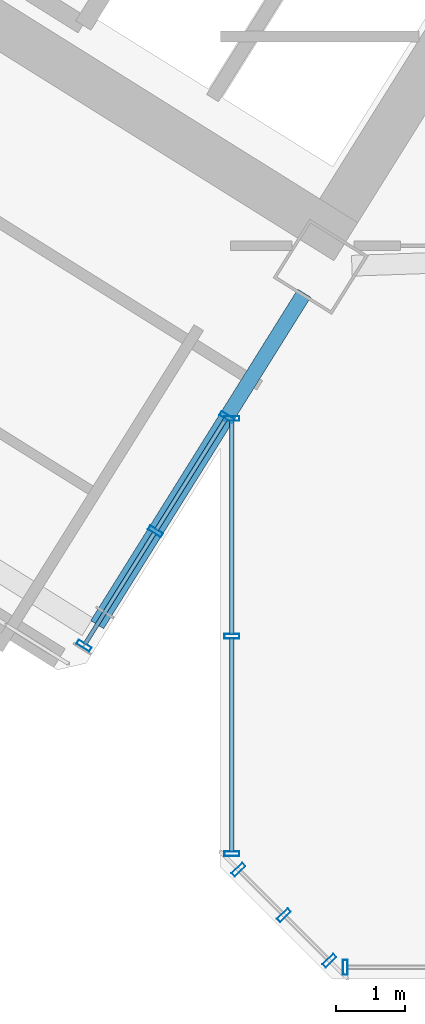
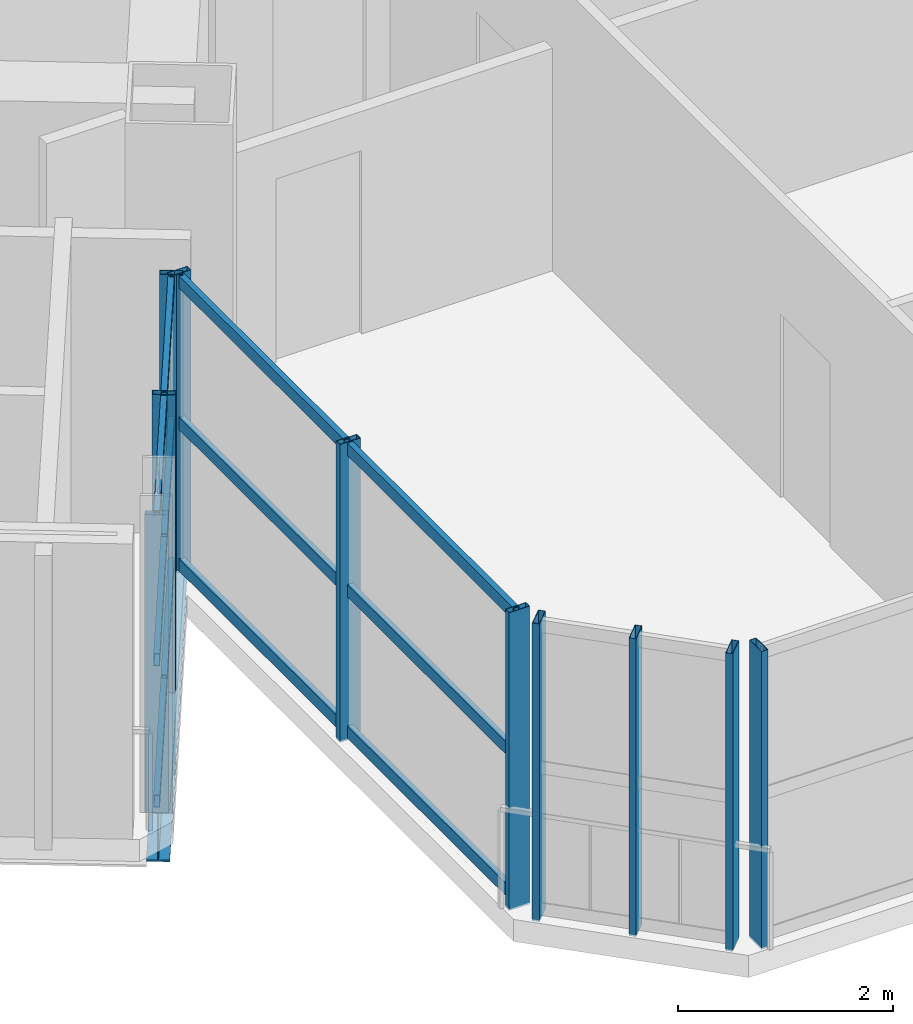
# One storey, part 5 of 28: 22 members, 1 beam, 4 elements without a shape of their own.
"""IFC4 building model written with IfcOpenShell, lengths in metres."""

from ifc_helpers import new_model, si_unit, direction, frame, origin, origin_2d, place, context, subcontext, project, spatial, hollow_rectangle, i_section, extrude, source, transform, mapped, material, material_profile, profile_set, type_object, element, aggregate, save


model = new_model("IFC4")

# Units and contexts
model_context = context("Model", 3, precision=1e-05, world=origin(), true_north=direction((0.0, 1.0)))
body_context = subcontext(model_context, "Body", "Model", "MODEL_VIEW")
ifc_project = project(units=[si_unit("LENGTHUNIT", "METRE"), si_unit("AREAUNIT", "SQUARE_METRE"), si_unit("VOLUMEUNIT", "CUBIC_METRE"), si_unit("PLANEANGLEUNIT", "RADIAN"), si_unit("MASSUNIT", "GRAM", prefix="KILO")], contexts=[model_context])

# Site, building, storey
site_placement = place(None, origin())
site = spatial("IfcSite", under=ifc_project, at=site_placement, CompositionType="ELEMENT")
building_placement = place(site_placement, origin())
building = spatial("IfcBuilding", under=site, at=building_placement, Name="Tlacorven Tower", CompositionType="ELEMENT")
storey_placement = place(building_placement, frame((0.0, 0.0, 49.199951171875)))
storey = spatial("IfcBuildingStorey", under=building, at=storey_placement, Name="L12", CompositionType="ELEMENT", Elevation=49.199951171875)

# Beam
ifc_material_1 = material(Name="Steel S355J2", Category="steel")
ifc_material_profile_1 = material_profile(ifc_material_1, i_section(OverallWidth=0.219970703125, OverallDepth=0.60009765625, WebThickness=0.011962890625, FlangeThickness=0.01904296875, at=origin_2d()), Name="IPE 600")
ifc_profile_set_1 = profile_set([ifc_material_profile_1], Name="Steel S355J2")
beam_type = type_object("IfcBeamType", Name="BM-TWR-600", PredefinedType="BEAM", material=ifc_profile_set_1)
shared_shape_1 = source(origin(), body_context, "Body", "SweptSolid", [
    extrude(i_section(OverallWidth=0.219970703125, OverallDepth=0.60009765625, WebThickness=0.011962890625, FlangeThickness=0.01904296875, at=origin_2d()), origin(), (0.0, 0.0, 1.0), 5.64990234375),
])
beam_placement = place(storey_placement, frame((32.8076171875, 11.705322265625, -0.550048828125), z_axis=(-0.529897948462, -0.848061415356, 0.0), x_axis=(0.848061415356, -0.529897948462, 0.0)))
element("IfcBeam", 1, at=beam_placement, inside=storey, type_object=beam_type, Name="L12 beam BM-L12-WT1-2", PredefinedType="BEAM", context=body_context, shape_type="MappedRepresentation", body=[
    mapped(shared_shape_1, transform((0.0, 0.0, 0.0), scale=1.0)),
])

# Curtain wall, member
ifc_material_2 = material(Name="Dark solar low-E double glazing in aluminium frame", Category="aluminium")
curtain_wall_type = type_object("IfcCurtainWallType", Name="CW-TWR-LOW", PredefinedType="USERDEFINED", material=ifc_material_2)
curtain_wall_1_placement = place(storey_placement, origin())
curtain_wall_1 = element("IfcCurtainWall", 2, at=curtain_wall_1_placement, inside=storey, type_object=curtain_wall_type, Name="L12 CW-TWR-LOW Curtain Wall 64", ObjectType="UNITISED CURTAIN WALL", PredefinedType="USERDEFINED")
ifc_material_3 = material(Name="Aluminium 6063-T6 anodised", Category="aluminium")
ifc_material_profile_2 = material_profile(ifc_material_3, hollow_rectangle(XDim=0.070068359375, YDim=0.219970703125, WallThickness=0.0048828125, at=origin_2d()), Name="ALU MULLION 70X220")
ifc_profile_set_2 = profile_set([ifc_material_profile_2], Name="Aluminium 6063-T6 anodised")
member_type_1 = type_object("IfcMemberType", Name="CWM-01", PredefinedType="MULLION", material=ifc_profile_set_2)
shared_shape_2 = source(origin(), body_context, "Body", "SweptSolid", [
    extrude(hollow_rectangle(XDim=0.070068359375, YDim=0.219970703125, WallThickness=0.0048828125, at=origin_2d()), origin(), (0.0, 0.0, 1.0), 3.380126953125),
])
member_1_placement = place(storey_placement, frame((33.4013671875, 1.9599609375, -0.02001953125), z_axis=(0.0, 0.0, 1.0), x_axis=(-1.0, 0.0, 0.0)))
member_1 = element("IfcMember", 3, at=member_1_placement, type_object=member_type_1, Name="CW-L12-064 Mullion 4", PredefinedType="MULLION", context=body_context, shape_type="MappedRepresentation", body=[
    mapped(shared_shape_2, transform((0.0, 0.0, 0.0), scale=1.0)),
])
aggregate(curtain_wall_1, [member_1])

# Curtain wall, members
curtain_wall_2_placement = place(storey_placement, origin())
curtain_wall_2 = element("IfcCurtainWall", 4, at=curtain_wall_2_placement, inside=storey, type_object=curtain_wall_type, Name="L12 CW-TWR-LOW Curtain Wall 65", ObjectType="UNITISED CURTAIN WALL", PredefinedType="USERDEFINED")
member_2_placement = place(storey_placement, frame((33.1708984375, 2.055419921875, -0.02001953125), z_axis=(0.0, 0.0, 1.0), x_axis=(-0.707106781187, 0.707106781187, 0.0)))
member_2 = element("IfcMember", 5, at=member_2_placement, type_object=member_type_1, Name="CW-L12-065 Mullion 1", PredefinedType="MULLION", context=body_context, shape_type="MappedRepresentation", body=[
    mapped(shared_shape_2, transform((0.0, 0.0, 0.0), scale=1.0)),
])
member_3_placement = place(storey_placement, frame((32.51318359375, 2.713134765625, -0.02001953125), z_axis=(0.0, 0.0, 1.0), x_axis=(-0.707106781187, 0.707106781187, 0.0)))
member_3 = element("IfcMember", 6, at=member_3_placement, type_object=member_type_1, Name="CW-L12-065 Mullion 2", PredefinedType="MULLION", context=body_context, shape_type="MappedRepresentation", body=[
    mapped(shared_shape_2, transform((0.0, 0.0, 0.0), scale=1.0)),
])
member_4_placement = place(storey_placement, frame((31.85546875, 3.370849609375, -0.02001953125), z_axis=(0.0, 0.0, 1.0), x_axis=(-0.707106781187, 0.707106781187, 0.0)))
member_4 = element("IfcMember", 7, at=member_4_placement, type_object=member_type_1, Name="CW-L12-065 Mullion 3", PredefinedType="MULLION", context=body_context, shape_type="MappedRepresentation", body=[
    mapped(shared_shape_2, transform((0.0, 0.0, 0.0), scale=1.0)),
])
aggregate(curtain_wall_2, [member_2, member_3, member_4])

curtain_wall_3_placement = place(storey_placement, origin())
curtain_wall_3 = element("IfcCurtainWall", 8, at=curtain_wall_3_placement, inside=storey, type_object=curtain_wall_type, Name="L12 CW-TWR-LOW Curtain Wall 66", ObjectType="UNITISED CURTAIN WALL", PredefinedType="USERDEFINED")
member_5_placement = place(storey_placement, frame((31.760009765625, 3.601318359375, -0.02001953125), z_axis=(0.0, 0.0, 1.0), x_axis=(0.0, 1.0, 0.0)))
member_5 = element("IfcMember", 9, at=member_5_placement, type_object=member_type_1, Name="CW-L12-066 Mullion 1", PredefinedType="MULLION", context=body_context, shape_type="MappedRepresentation", body=[
    mapped(shared_shape_2, transform((0.0, 0.0, 0.0), scale=1.0)),
])
member_6_placement = place(storey_placement, frame((31.760009765625, 6.74755859375, -0.02001953125), z_axis=(0.0, 0.0, 1.0), x_axis=(0.0, 1.0, 0.0)))
member_6 = element("IfcMember", 10, at=member_6_placement, type_object=member_type_1, Name="CW-L12-066 Mullion 2", PredefinedType="MULLION", context=body_context, shape_type="MappedRepresentation", body=[
    mapped(shared_shape_2, transform((0.0, 0.0, 0.0), scale=1.0)),
])
member_7_placement = place(storey_placement, frame((31.760009765625, 9.8935546875, -0.02001953125), z_axis=(0.0, 0.0, 1.0), x_axis=(0.0, 1.0, 0.0)))
member_7 = element("IfcMember", 11, at=member_7_placement, type_object=member_type_1, Name="CW-L12-066 Mullion 3", PredefinedType="MULLION", context=body_context, shape_type="MappedRepresentation", body=[
    mapped(shared_shape_2, transform((0.0, 0.0, 0.0), scale=1.0)),
])

curtain_wall_4_placement = place(storey_placement, origin())
curtain_wall_4 = element("IfcCurtainWall", 12, at=curtain_wall_4_placement, inside=storey, type_object=curtain_wall_type, Name="L12 CW-TWR-LOW Curtain Wall 67", ObjectType="UNITISED CURTAIN WALL", PredefinedType="USERDEFINED")
member_8_placement = place(storey_placement, frame((31.6884765625, 9.9140625, -0.02001953125), z_axis=(0.0, 0.0, 1.0), x_axis=(-0.529918710919, -0.848048441905, 0.0)))
member_8 = element("IfcMember", 13, at=member_8_placement, type_object=member_type_1, Name="CW-L12-067 Mullion 1", PredefinedType="MULLION", context=body_context, shape_type="MappedRepresentation", body=[
    mapped(shared_shape_2, transform((0.0, 0.0, 0.0), scale=1.0)),
])
member_9_placement = place(storey_placement, frame((30.656005859375, 8.261962890625, -0.02001953125), z_axis=(0.0, 0.0, 1.0), x_axis=(-0.529918710919, -0.848048441905, 0.0)))
member_9 = element("IfcMember", 14, at=member_9_placement, type_object=member_type_1, Name="CW-L12-067 Mullion 2", PredefinedType="MULLION", context=body_context, shape_type="MappedRepresentation", body=[
    mapped(shared_shape_2, transform((0.0, 0.0, 0.0), scale=1.0)),
])
member_10_placement = place(storey_placement, frame((29.62353515625, 6.609619140625, -0.02001953125), z_axis=(0.0, 0.0, 1.0), x_axis=(-0.529918710919, -0.848048441905, 0.0)))
member_10 = element("IfcMember", 15, at=member_10_placement, type_object=member_type_1, Name="CW-L12-067 Mullion 3", PredefinedType="MULLION", context=body_context, shape_type="MappedRepresentation", body=[
    mapped(shared_shape_2, transform((0.0, 0.0, 0.0), scale=1.0)),
])

# Member
ifc_material_profile_3 = material_profile(ifc_material_3, hollow_rectangle(XDim=0.06005859375, YDim=0.139892578125, WallThickness=0.00390625, at=origin_2d()), Name="ALU TRANSOM 60X140")
ifc_profile_set_3 = profile_set([ifc_material_profile_3], Name="Aluminium 6063-T6 anodised")
member_type_2 = type_object("IfcMemberType", Name="CWT-02", PredefinedType="USERDEFINED", material=ifc_profile_set_3)
shared_shape_3 = source(origin(), body_context, "Body", "SweptSolid", [
    extrude(hollow_rectangle(XDim=0.06005859375, YDim=0.139892578125, WallThickness=0.00390625, at=origin_2d()), origin(), (0.0, 0.0, 1.0), 3.10009765625),
])
member_11_placement = place(storey_placement, frame((31.760009765625, 3.624267578125, 0.070068359375), z_axis=(0.0, 1.0, 0.0), x_axis=(-1.0, 0.0, 0.0)))
member_11 = element("IfcMember", 16, at=member_11_placement, type_object=member_type_2, Name="CW-L12-066 Transom 1", ObjectType="TRANSOM", PredefinedType="USERDEFINED", context=body_context, shape_type="MappedRepresentation", body=[
    mapped(shared_shape_3, transform((0.0, 0.0, 0.0), scale=1.0)),
])

member_12_placement = place(storey_placement, frame((31.760009765625, 3.624267578125, 1.675048828125), z_axis=(0.0, 1.0, 0.0), x_axis=(-1.0, 0.0, 0.0)))
member_12 = element("IfcMember", 17, at=member_12_placement, type_object=member_type_2, Name="CW-L12-066 Transom 2", ObjectType="TRANSOM", PredefinedType="USERDEFINED", context=body_context, shape_type="MappedRepresentation", body=[
    mapped(shared_shape_3, transform((0.0, 0.0, 0.0), scale=1.0)),
])

member_13_placement = place(storey_placement, frame((31.760009765625, 3.624267578125, 3.280029296875), z_axis=(0.0, 1.0, 0.0), x_axis=(-1.0, 0.0, 0.0)))
member_13 = element("IfcMember", 18, at=member_13_placement, type_object=member_type_2, Name="CW-L12-066 Transom 3", ObjectType="TRANSOM", PredefinedType="USERDEFINED", context=body_context, shape_type="MappedRepresentation", body=[
    mapped(shared_shape_3, transform((0.0, 0.0, 0.0), scale=1.0)),
])

member_14_placement = place(storey_placement, frame((31.760009765625, 6.7705078125, 0.070068359375), z_axis=(0.0, 1.0, 0.0), x_axis=(-1.0, 0.0, 0.0)))
member_14 = element("IfcMember", 19, at=member_14_placement, type_object=member_type_2, Name="CW-L12-066 Transom 4", ObjectType="TRANSOM", PredefinedType="USERDEFINED", context=body_context, shape_type="MappedRepresentation", body=[
    mapped(shared_shape_3, transform((0.0, 0.0, 0.0), scale=1.0)),
])

member_15_placement = place(storey_placement, frame((31.760009765625, 6.7705078125, 1.675048828125), z_axis=(0.0, 1.0, 0.0), x_axis=(-1.0, 0.0, 0.0)))
member_15 = element("IfcMember", 20, at=member_15_placement, type_object=member_type_2, Name="CW-L12-066 Transom 5", ObjectType="TRANSOM", PredefinedType="USERDEFINED", context=body_context, shape_type="MappedRepresentation", body=[
    mapped(shared_shape_3, transform((0.0, 0.0, 0.0), scale=1.0)),
])

member_16_placement = place(storey_placement, frame((31.760009765625, 6.7705078125, 3.280029296875), z_axis=(0.0, 1.0, 0.0), x_axis=(-1.0, 0.0, 0.0)))
member_16 = element("IfcMember", 21, at=member_16_placement, type_object=member_type_2, Name="CW-L12-066 Transom 6", ObjectType="TRANSOM", PredefinedType="USERDEFINED", context=body_context, shape_type="MappedRepresentation", body=[
    mapped(shared_shape_3, transform((0.0, 0.0, 0.0), scale=1.0)),
])

aggregate(curtain_wall_3, [member_5, member_6, member_7, member_11, member_12, member_13, member_14, member_15, member_16])

shared_shape_4 = source(origin(), body_context, "Body", "SweptSolid", [
    extrude(hollow_rectangle(XDim=0.06005859375, YDim=0.139892578125, WallThickness=0.00390625, at=origin_2d()), origin(), (0.0, 0.0, 1.0), 1.902587890625),
])
member_17_placement = place(storey_placement, frame((31.67626953125, 9.894775390625, 0.070068359375), z_axis=(-0.529848980307, -0.848092010378, 0.0), x_axis=(0.848092010378, -0.529848980307, 0.0)))
member_17 = element("IfcMember", 22, at=member_17_placement, type_object=member_type_2, Name="CW-L12-067 Transom 1", ObjectType="TRANSOM", PredefinedType="USERDEFINED", context=body_context, shape_type="MappedRepresentation", body=[
    mapped(shared_shape_4, transform((0.0, 0.0, 0.0), scale=1.0)),
])

member_18_placement = place(storey_placement, frame((31.67626953125, 9.894775390625, 1.675048828125), z_axis=(-0.529848980307, -0.848092010378, 0.0), x_axis=(0.848092010378, -0.529848980307, 0.0)))
member_18 = element("IfcMember", 23, at=member_18_placement, type_object=member_type_2, Name="CW-L12-067 Transom 2", ObjectType="TRANSOM", PredefinedType="USERDEFINED", context=body_context, shape_type="MappedRepresentation", body=[
    mapped(shared_shape_4, transform((0.0, 0.0, 0.0), scale=1.0)),
])

member_19_placement = place(storey_placement, frame((31.67626953125, 9.894775390625, 3.280029296875), z_axis=(-0.529848980307, -0.848092010378, 0.0), x_axis=(0.848092010378, -0.529848980307, 0.0)))
member_19 = element("IfcMember", 24, at=member_19_placement, type_object=member_type_2, Name="CW-L12-067 Transom 3", ObjectType="TRANSOM", PredefinedType="USERDEFINED", context=body_context, shape_type="MappedRepresentation", body=[
    mapped(shared_shape_4, transform((0.0, 0.0, 0.0), scale=1.0)),
])

shared_shape_5 = source(origin(), body_context, "Body", "SweptSolid", [
    extrude(hollow_rectangle(XDim=0.06005859375, YDim=0.139892578125, WallThickness=0.00390625, at=origin_2d()), origin(), (0.0, 0.0, 1.0), 1.90234375),
])
member_20_placement = place(storey_placement, frame((30.643798828125, 8.242431640625, 0.070068359375), z_axis=(-0.52990664903, -0.84805597888, 0.0), x_axis=(0.84805597888, -0.52990664903, 0.0)))
member_20 = element("IfcMember", 25, at=member_20_placement, type_object=member_type_2, Name="CW-L12-067 Transom 4", ObjectType="TRANSOM", PredefinedType="USERDEFINED", context=body_context, shape_type="MappedRepresentation", body=[
    mapped(shared_shape_5, transform((0.0, 0.0, 0.0), scale=1.0)),
])

member_21_placement = place(storey_placement, frame((30.643798828125, 8.242431640625, 1.675048828125), z_axis=(-0.52990664903, -0.84805597888, 0.0), x_axis=(0.84805597888, -0.52990664903, 0.0)))
member_21 = element("IfcMember", 26, at=member_21_placement, type_object=member_type_2, Name="CW-L12-067 Transom 5", ObjectType="TRANSOM", PredefinedType="USERDEFINED", context=body_context, shape_type="MappedRepresentation", body=[
    mapped(shared_shape_5, transform((0.0, 0.0, 0.0), scale=1.0)),
])

member_22_placement = place(storey_placement, frame((30.643798828125, 8.242431640625, 3.280029296875), z_axis=(-0.52990664903, -0.84805597888, 0.0), x_axis=(0.84805597888, -0.52990664903, 0.0)))
member_22 = element("IfcMember", 27, at=member_22_placement, type_object=member_type_2, Name="CW-L12-067 Transom 6", ObjectType="TRANSOM", PredefinedType="USERDEFINED", context=body_context, shape_type="MappedRepresentation", body=[
    mapped(shared_shape_5, transform((0.0, 0.0, 0.0), scale=1.0)),
])

aggregate(curtain_wall_4, [member_8, member_9, member_10, member_17, member_18, member_19, member_20, member_21, member_22])

save(model, "model.ifc")
